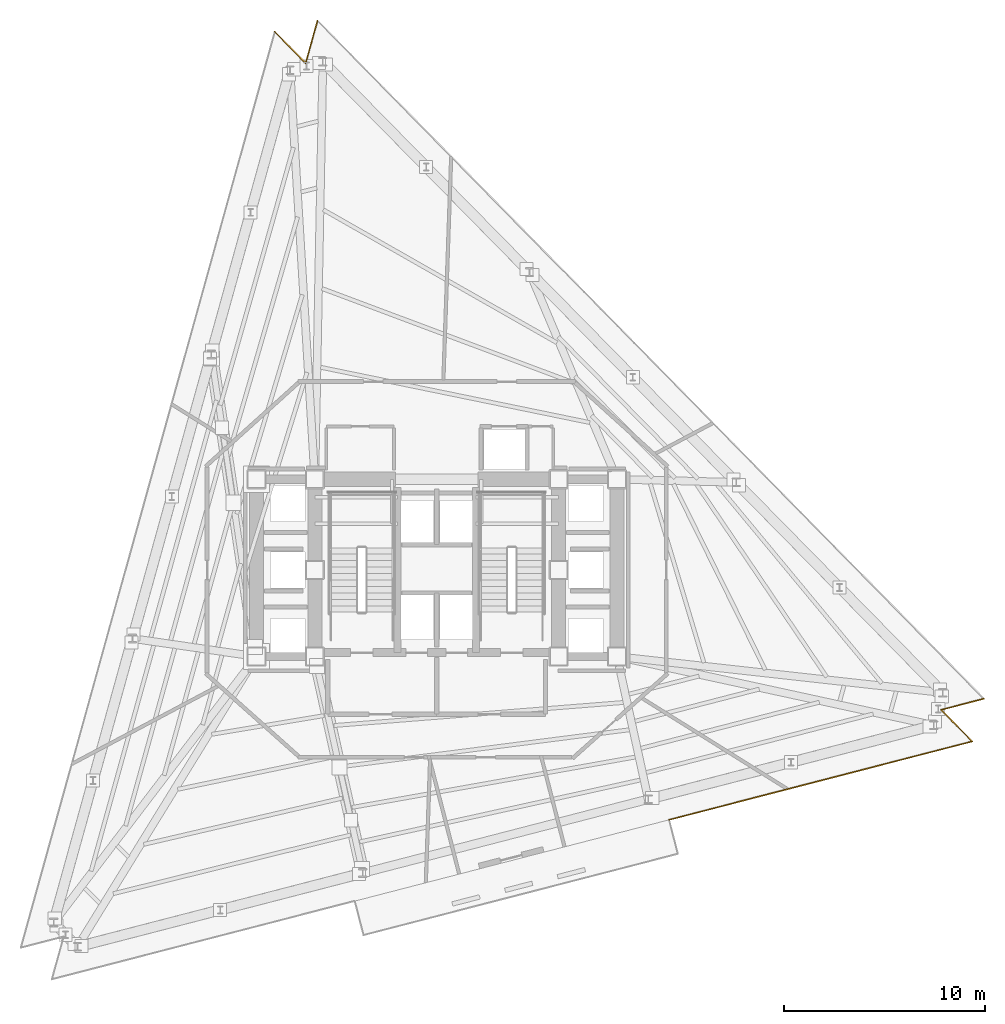
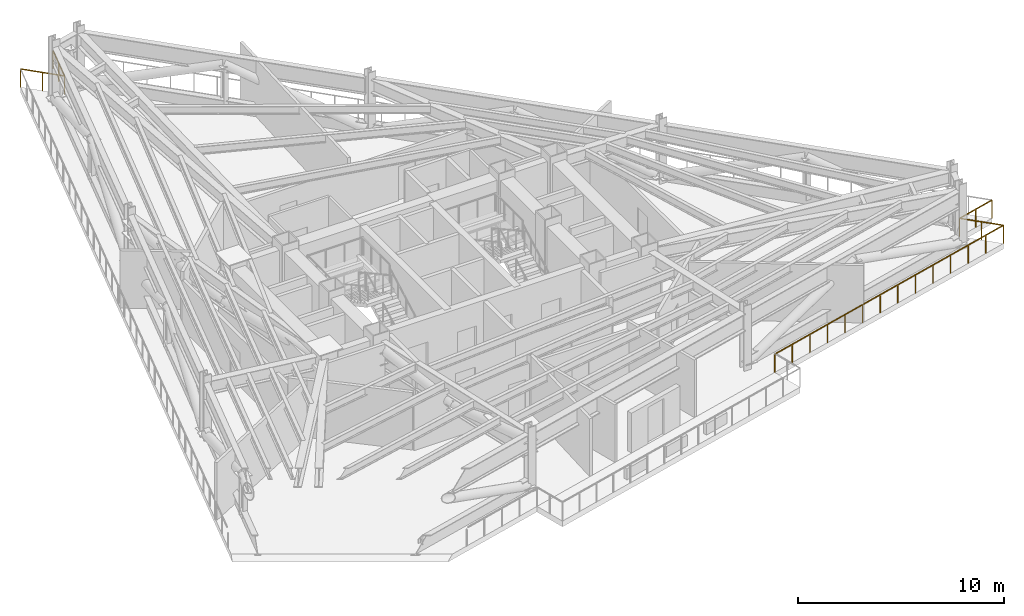
# One storey, part 11 of 11: 5 railings.
"""IFC4 building model written with IfcOpenShell, lengths in metres."""

import ifcopenshell
import ifcopenshell.guid

model = None  # the IFC model being written
_history = None  # IfcOwnerHistory: only IFC2X3 demands one
_inside = {}  # id of a spatial element -> (the spatial element, [elements in it])
_under = {}  # id of a project, library or spatial element -> (it, [spatial elements below it])
_declared = {}  # id of a project -> (the project, [libraries it declares])
_typed = {}  # id of a type object -> (the type object, [elements of that type])
_made_of = {}  # id of a material, layer set ... -> (it, [elements and type objects made of it])


def new_model(schema):
    """Start an empty IFC model of exactly this schema.

    Asked for "IFC4X3", IfcOpenShell would pick the latest addendum, in which some entities
    have other attributes; the version numbers below select the first issue.
    IFC2X3 requires an IfcOwnerHistory on every rooted entity: one is made here for all.
    """
    global model, _history
    if schema == "IFC4X3":
        model = ifcopenshell.file(schema_version=(4, 3, 0, 0))
    else:
        model = ifcopenshell.file(schema=schema)
    _inside.clear()
    _under.clear()
    _declared.clear()
    _typed.clear()
    _made_of.clear()
    _history = None
    if model.schema == "IFC2X3":
        org = make("IfcOrganization", Name="unknown")
        user = make(
            "IfcPersonAndOrganization",
            ThePerson=make("IfcPerson", FamilyName="unknown"),
            TheOrganization=org,
        )
        app = make(
            "IfcApplication",
            ApplicationDeveloper=org,
            Version="unknown",
            ApplicationFullName="unknown",
            ApplicationIdentifier="unknown",
        )
        _history = make(
            "IfcOwnerHistory",
            OwningUser=user,
            OwningApplication=app,
            ChangeAction="ADDED",
            CreationDate=0,
        )
    return model


def make(cls, **values):
    """One entity of the class cls with the attributes given. An attribute that is None is left unset."""
    return model.create_entity(
        cls, **{name: value for name, value in values.items() if value is not None}
    )


def rooted(cls, **values):
    """An entity with a GlobalId (a new one), such as an element, a storey or a relation."""
    return make(cls, GlobalId=ifcopenshell.guid.new(), OwnerHistory=_history, **values)


def si_unit(unit_type, name, prefix=None):
    """IfcSIUnit, for example si_unit("LENGTHUNIT", "METRE", prefix="MILLI")."""
    return make("IfcSIUnit", UnitType=unit_type, Prefix=prefix, Name=name)


def assignment(units):
    """IfcUnitAssignment: the units of a project."""
    return None if units is None else make("IfcUnitAssignment", Units=units)


def point(xyz):
    """IfcCartesianPoint."""
    return None if xyz is None else make("IfcCartesianPoint", Coordinates=xyz)


def direction(xyz):
    """IfcDirection."""
    return None if xyz is None else make("IfcDirection", DirectionRatios=xyz)


def frame(location, z_axis=None, x_axis=None):
    """IfcAxis2Placement3D, a coordinate frame: its origin and axes. An axis left out is left unset."""
    return make(
        "IfcAxis2Placement3D",
        Location=point(location),
        Axis=direction(z_axis),
        RefDirection=direction(x_axis),
    )


def frame_2d(location, x_axis=None):
    """IfcAxis2Placement2D, a coordinate frame in the plane: its origin and x axis."""
    return make(
        "IfcAxis2Placement2D", Location=point(location), RefDirection=direction(x_axis)
    )


def origin():
    """The frame at (0, 0, 0) with its axes left unset."""
    return frame((0.0, 0.0, 0.0))


def origin_2d():
    """The frame at (0, 0) in the plane with its x axis left unset."""
    return frame_2d((0.0, 0.0))


def place(relative_to, where):
    """IfcLocalPlacement: puts the frame where relative to a parent placement (None: the world)."""
    return make(
        "IfcLocalPlacement", PlacementRelTo=relative_to, RelativePlacement=where
    )


def context(
    kind, dimensions, precision=None, world=None, true_north=None, identifier=None
):
    """IfcGeometricRepresentationContext, for example the 3D "Model" context."""
    return make(
        "IfcGeometricRepresentationContext",
        ContextIdentifier=identifier,
        ContextType=kind,
        CoordinateSpaceDimension=dimensions,
        Precision=precision,
        WorldCoordinateSystem=world,
        TrueNorth=true_north,
    )


def subcontext(parent, identifier, kind, view, scale=None):
    """IfcGeometricRepresentationSubContext, for example "Body" below "Model"."""
    return make(
        "IfcGeometricRepresentationSubContext",
        ContextIdentifier=identifier,
        ContextType=kind,
        ParentContext=parent,
        TargetScale=scale,
        TargetView=view,
    )


def project(units=None, contexts=None):
    """IfcProject with its units and contexts."""
    return rooted(
        "IfcProject",
        Name="project",
        RepresentationContexts=contexts,
        UnitsInContext=assignment(units),
    )


def spatial(cls, under=None, at=None, **own):
    """A site, building, storey or space (cls), placed at a placement, below another one or the project."""
    s = rooted(cls, ObjectPlacement=at, **own)
    if under is not None:
        _under.setdefault(under.id(), (under, []))[1].append(s)
    return s


def profile(cls, at=None, kind="AREA", **sizes):
    """A parametric profile (cls). Its sizes go by their IFC names, for example OverallWidth=200.0."""
    return make(cls, ProfileType=kind, Position=at, **sizes)


def rectangle(**sizes):
    """IfcRectangleProfileDef."""
    return profile("IfcRectangleProfileDef", **sizes)


def extrude(swept, where, along, depth):
    """IfcExtrudedAreaSolid: the profile swept, set in the frame where, extruded along a direction by depth."""
    return make(
        "IfcExtrudedAreaSolid",
        SweptArea=swept,
        Position=where,
        ExtrudedDirection=direction(along),
        Depth=depth,
    )


def shape(context_of_items, identifier, shape_type, items):
    """IfcShapeRepresentation: the items that make up one representation, for example the "Body"."""
    return make(
        "IfcShapeRepresentation",
        ContextOfItems=context_of_items,
        RepresentationIdentifier=identifier,
        RepresentationType=shape_type,
        Items=items,
    )


def material(Name=None, Category=None):
    """IfcMaterial."""
    return make("IfcMaterial", Name=Name, Category=Category)


def layer(
    of_material, thickness, ventilated=None, Name=None, Category=None, Priority=None
):
    """IfcMaterialLayer: one layer of a wall or slab, of a material (None: an air gap)."""
    return make(
        "IfcMaterialLayer",
        Material=of_material,
        LayerThickness=thickness,
        IsVentilated=ventilated,
        Name=Name,
        Category=Category,
        Priority=Priority,
    )


def layer_set(layers, Name=None):
    """IfcMaterialLayerSet."""
    return make("IfcMaterialLayerSet", MaterialLayers=layers, LayerSetName=Name)


def made_of(thing, what):
    """Note that an element or type object is made of a material, layer set ...; save() writes the relation."""
    if what is not None:
        _made_of.setdefault(what.id(), (what, []))[1].append(thing)
    return thing


def type_object(cls, material=None, **own):
    """A type object (cls), such as IfcWallType, which elements share."""
    return made_of(rooted(cls, **own), material)


def element(
    cls,
    number,
    at=None,
    inside=None,
    cuts=None,
    type_object=None,
    material=None,
    context=None,
    identifier="Body",
    shape_type=None,
    held_by="IfcProductDefinitionShape",
    body=None,
    shapes=None,
    **own,
):
    """One element of the class cls, such as IfcWall. Its Tag is "e" and its number.

    at: its placement. inside: the storey or other place that contains it. cuts: it is an
    opening in that element (IfcRelVoidsElement). A single representation is given by context,
    identifier, shape_type and body (its items); several are given by shapes. held_by: the class
    of the entity that holds the representations. save() writes the other relations.
    """
    e = rooted(cls, Tag="e%d" % number, ObjectPlacement=at, **own)
    if body is not None:
        shapes = [shape(context, identifier, shape_type, body)]
    if shapes is not None:
        e.Representation = make(held_by, Representations=shapes)
    if inside is not None:
        _inside.setdefault(inside.id(), (inside, []))[1].append(e)
    if cuts is not None:
        rooted(
            "IfcRelVoidsElement", RelatingBuildingElement=cuts, RelatedOpeningElement=e
        )
    if type_object is not None:
        _typed.setdefault(type_object.id(), (type_object, []))[1].append(e)
    return made_of(e, material)


def aggregate(whole, parts):
    """IfcRelAggregates: a whole, such as a stair, and the parts it consists of."""
    return rooted("IfcRelAggregates", RelatingObject=whole, RelatedObjects=parts)


def save(model, path):
    """Write the relations noted so far, then the file.

    IfcRelAggregates (storeys below a building ...), IfcRelContainedInSpatialStructure (elements
    in a storey), IfcRelDefinesByType, IfcRelAssociatesMaterial and IfcRelDeclares: one each for
    every whole, place, type object, material and project.
    """
    for whole, parts in _under.values():
        aggregate(whole, parts)
    for where, things in _inside.values():
        rooted(
            "IfcRelContainedInSpatialStructure",
            RelatedElements=things,
            RelatingStructure=where,
        )
    for kind, things in _typed.values():
        rooted("IfcRelDefinesByType", RelatedObjects=things, RelatingType=kind)
    for what, things in _made_of.values():
        rooted("IfcRelAssociatesMaterial", RelatedObjects=things, RelatingMaterial=what)
    for by, libraries in _declared.values():
        rooted("IfcRelDeclares", RelatingContext=by, RelatedDefinitions=libraries)
    model.write(path)


model = new_model("IFC4")

# Units and contexts
model_context = context("Model", 3, precision=1e-05, world=origin(), true_north=direction((0.0, 1.0)))
body_context = subcontext(model_context, "Body", "Model", "MODEL_VIEW")
ifc_project = project(units=[si_unit("LENGTHUNIT", "METRE"), si_unit("AREAUNIT", "SQUARE_METRE"), si_unit("VOLUMEUNIT", "CUBIC_METRE"), si_unit("PLANEANGLEUNIT", "RADIAN"), si_unit("MASSUNIT", "GRAM", prefix="KILO")], contexts=[model_context])

# Site, building, storey
site_placement = place(None, origin())
site = spatial("IfcSite", under=ifc_project, at=site_placement, CompositionType="ELEMENT")
building_placement = place(site_placement, origin())
building = spatial("IfcBuilding", under=site, at=building_placement, Name="Rocaltana Carrier Exchange", CompositionType="ELEMENT")
storey_placement = place(building_placement, frame((0.0, 0.0, 100.800048828125)))
storey = spatial("IfcBuildingStorey", under=building, at=storey_placement, Name="L31", CompositionType="ELEMENT", Elevation=100.800048828125)

# Railings
ifc_material = material(Name="Powder-Coated Aluminium 6063-T6", Category="aluminium")
ifc_layer = layer(ifc_material, 0.06005859375)
ifc_layer_set = layer_set([ifc_layer], Name="Powder-Coated Aluminium 6063-T6")
railing_type = type_object("IfcRailingType", Name="Wind-Floor & Terrace Perimeter Guardrail 1100", PredefinedType="GUARDRAIL", material=ifc_layer_set)
railing_1_placement = place(storey_placement, frame((26.577880859375, -8.51220703125, 0.0)))
element("IfcRailing", 1, at=railing_1_placement, inside=storey, type_object=railing_type, Name="L31 Wind Perimeter Guardrail 1", PredefinedType="GUARDRAIL", context=body_context, shape_type="SweptSolid", body=[
    extrude(rectangle(XDim=0.048095703125, YDim=0.048095703125, at=origin_2d()), frame((0.0, 0.0, 1.076171875), z_axis=(-0.700920820206, 0.713239093012, 0.0), x_axis=(-0.713239093012, -0.700920820206, 0.0)), (0.0, 0.0, 1.0), 2.199951171875),
    extrude(rectangle(XDim=0.0419921875, YDim=0.0419921875, at=origin_2d()), origin(), (0.0, 0.0, 1.0), 1.052001953125),
    extrude(rectangle(XDim=0.0419921875, YDim=0.0419921875, at=origin_2d()), frame((-0.77099609375, 0.78466796875, 0.0)), (0.0, 0.0, 1.0), 1.052001953125),
    extrude(rectangle(XDim=0.0419921875, YDim=0.0419921875, at=origin_2d()), frame((-1.5419921875, 1.569091796875, 0.0)), (0.0, 0.0, 1.0), 1.052001953125),
])
railing_2_placement = place(storey_placement, frame((25.035888671875, -6.943115234375, 0.0)))
element("IfcRailing", 2, at=railing_2_placement, inside=storey, type_object=railing_type, Name="L31 Wind Perimeter Guardrail 2", PredefinedType="GUARDRAIL", context=body_context, shape_type="SweptSolid", body=[
    extrude(rectangle(XDim=0.048095703125, YDim=0.048095703125, at=origin_2d()), frame((0.0, 0.0, 1.076171875), z_axis=(0.968125573145, 0.250465316207, 0.0), x_axis=(-0.250465316207, 0.968125573145, 0.0)), (0.0, 0.0, 1.0), 2.199951171875),
    extrude(rectangle(XDim=0.0419921875, YDim=0.0419921875, at=origin_2d()), origin(), (0.0, 0.0, 1.0), 1.052001953125),
    extrude(rectangle(XDim=0.0419921875, YDim=0.0419921875, at=origin_2d()), frame((1.06494140625, 0.275390625, 0.0)), (0.0, 0.0, 1.0), 1.052001953125),
    extrude(rectangle(XDim=0.0419921875, YDim=0.0419921875, at=origin_2d()), frame((2.1298828125, 0.551025390625, 0.0)), (0.0, 0.0, 1.0), 1.052001953125),
])
railing_3_placement = place(storey_placement, frame((-5.9169921875, 27.273193359375, 0.0)))
element("IfcRailing", 3, at=railing_3_placement, inside=storey, type_object=railing_type, Name="L31 Wind Perimeter Guardrail 4", PredefinedType="GUARDRAIL", context=body_context, shape_type="SweptSolid", body=[
    extrude(rectangle(XDim=0.048095703125, YDim=0.048095703125, at=origin_2d()), frame((0.0, 0.0, 1.076171875), z_axis=(-0.267340495703, -0.963602127103, 0.0), x_axis=(0.963602127103, -0.267340495703, 0.0)), (0.0, 0.0, 1.0), 2.199951171875),
    extrude(rectangle(XDim=0.0419921875, YDim=0.0419921875, at=origin_2d()), origin(), (0.0, 0.0, 1.0), 1.052001953125),
    extrude(rectangle(XDim=0.0419921875, YDim=0.0419921875, at=origin_2d()), frame((-0.2939453125, -1.06005859375, 0.0)), (0.0, 0.0, 1.0), 1.052001953125),
    extrude(rectangle(XDim=0.0419921875, YDim=0.0419921875, at=origin_2d()), frame((-0.588134765625, -2.119873046875, 0.0)), (0.0, 0.0, 1.0), 1.052001953125),
])
railing_4_placement = place(storey_placement, frame((-6.505126953125, 25.1533203125, 0.0)))
element("IfcRailing", 4, at=railing_4_placement, inside=storey, type_object=railing_type, Name="L31 Wind Perimeter Guardrail 5", PredefinedType="GUARDRAIL", context=body_context, shape_type="SweptSolid", body=[
    extrude(rectangle(XDim=0.048095703125, YDim=0.048095703125, at=origin_2d()), frame((0.0, 0.0, 1.076171875), z_axis=(-0.700920820206, 0.713239093012, 0.0), x_axis=(-0.713239093012, -0.700920820206, 0.0)), (0.0, 0.0, 1.0), 2.199951171875),
    extrude(rectangle(XDim=0.0419921875, YDim=0.0419921875, at=origin_2d()), origin(), (0.0, 0.0, 1.0), 1.052001953125),
    extrude(rectangle(XDim=0.0419921875, YDim=0.0419921875, at=origin_2d()), frame((-0.77099609375, 0.78466796875, 0.0)), (0.0, 0.0, 1.0), 1.052001953125),
    extrude(rectangle(XDim=0.0419921875, YDim=0.0419921875, at=origin_2d()), frame((-1.5419921875, 1.569091796875, 0.0)), (0.0, 0.0, 1.0), 1.052001953125),
])
railing_5_placement = place(storey_placement, frame((11.539306640625, -12.4013671875, 0.0)))
element("IfcRailing", 5, at=railing_5_placement, inside=storey, type_object=railing_type, Name="L31 Wind Perimeter Guardrail 9B", PredefinedType="GUARDRAIL", context=body_context, shape_type="SweptSolid", body=[
    extrude(rectangle(XDim=0.048095703125, YDim=0.048095703125, at=origin_2d()), frame((0.0, 0.0, 1.076171875), z_axis=(0.968148882255, 0.250375202025, 0.0), x_axis=(-0.250375202025, 0.968148882255, 0.0)), (0.0, 0.0, 1.0), 15.533447265625),
    extrude(rectangle(XDim=0.0419921875, YDim=0.0419921875, at=origin_2d()), origin(), (0.0, 0.0, 1.0), 1.052001953125),
    extrude(rectangle(XDim=0.0419921875, YDim=0.0419921875, at=origin_2d()), frame((1.15673828125, 0.299072265625, 0.0)), (0.0, 0.0, 1.0), 1.052001953125),
    extrude(rectangle(XDim=0.0419921875, YDim=0.0419921875, at=origin_2d()), frame((2.313720703125, 0.598388671875, 0.0)), (0.0, 0.0, 1.0), 1.052001953125),
    extrude(rectangle(XDim=0.0419921875, YDim=0.0419921875, at=origin_2d()), frame((3.470458984375, 0.8974609375, 0.0)), (0.0, 0.0, 1.0), 1.052001953125),
    extrude(rectangle(XDim=0.0419921875, YDim=0.0419921875, at=origin_2d()), frame((4.627197265625, 1.19677734375, 0.0)), (0.0, 0.0, 1.0), 1.052001953125),
    extrude(rectangle(XDim=0.0419921875, YDim=0.0419921875, at=origin_2d()), frame((5.7841796875, 1.495849609375, 0.0)), (0.0, 0.0, 1.0), 1.052001953125),
    extrude(rectangle(XDim=0.0419921875, YDim=0.0419921875, at=origin_2d()), frame((6.94091796875, 1.794921875, 0.0)), (0.0, 0.0, 1.0), 1.052001953125),
    extrude(rectangle(XDim=0.0419921875, YDim=0.0419921875, at=origin_2d()), frame((8.09765625, 2.09423828125, 0.0)), (0.0, 0.0, 1.0), 1.052001953125),
    extrude(rectangle(XDim=0.0419921875, YDim=0.0419921875, at=origin_2d()), frame((9.25439453125, 2.393310546875, 0.0)), (0.0, 0.0, 1.0), 1.052001953125),
    extrude(rectangle(XDim=0.0419921875, YDim=0.0419921875, at=origin_2d()), frame((10.411376953125, 2.6923828125, 0.0)), (0.0, 0.0, 1.0), 1.052001953125),
    extrude(rectangle(XDim=0.0419921875, YDim=0.0419921875, at=origin_2d()), frame((11.568115234375, 2.99169921875, 0.0)), (0.0, 0.0, 1.0), 1.052001953125),
    extrude(rectangle(XDim=0.0419921875, YDim=0.0419921875, at=origin_2d()), frame((12.724853515625, 3.290771484375, 0.0)), (0.0, 0.0, 1.0), 1.052001953125),
    extrude(rectangle(XDim=0.0419921875, YDim=0.0419921875, at=origin_2d()), frame((13.8818359375, 3.590087890625, 0.0)), (0.0, 0.0, 1.0), 1.052001953125),
    extrude(rectangle(XDim=0.0419921875, YDim=0.0419921875, at=origin_2d()), frame((15.03857421875, 3.88916015625, 0.0)), (0.0, 0.0, 1.0), 1.052001953125),
])

save(model, "model.ifc")
